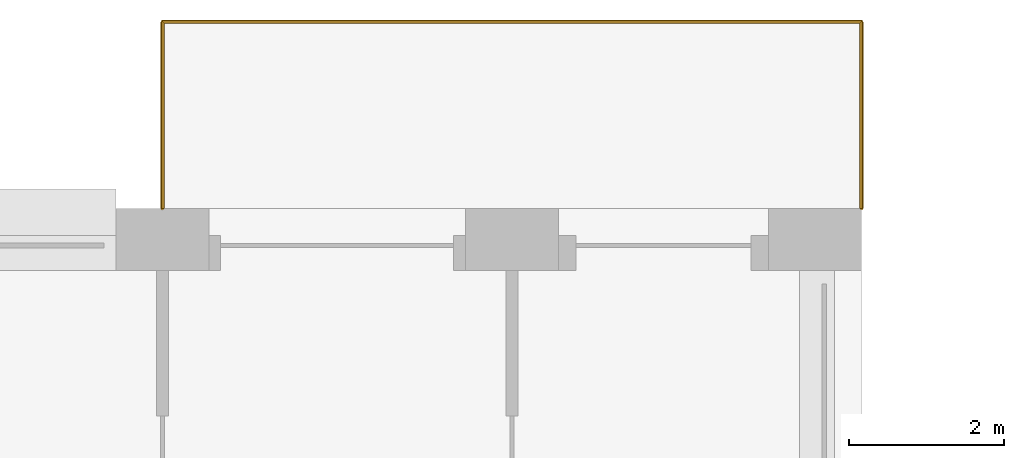
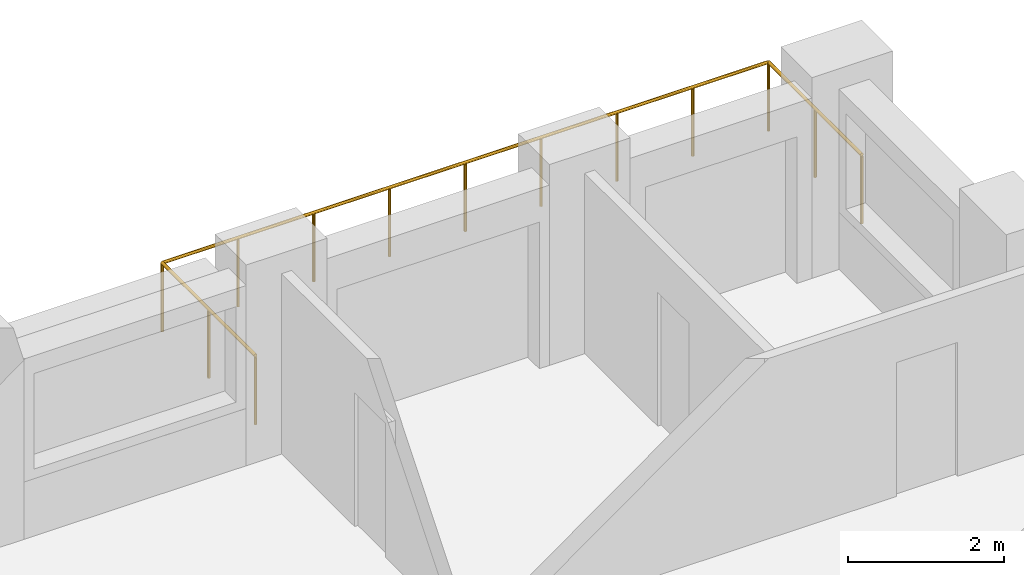
# One storey, part 19 of 19: 1 railing.
"""IFC4 building model written with IfcOpenShell, lengths in metres."""

from ifc_helpers import new_model, si_unit, direction, frame, origin, origin_2d, place, context, subcontext, project, spatial, circle, extrude, material, type_object, element, save


model = new_model("IFC4")

# Units and contexts
model_context = context("Model", 3, precision=1e-05, world=origin(), true_north=direction((0.0, 1.0)))
body_context = subcontext(model_context, "Body", "Model", "MODEL_VIEW")
ifc_project = project(units=[si_unit("LENGTHUNIT", "METRE"), si_unit("AREAUNIT", "SQUARE_METRE"), si_unit("VOLUMEUNIT", "CUBIC_METRE"), si_unit("PLANEANGLEUNIT", "RADIAN"), si_unit("MASSUNIT", "GRAM", prefix="KILO")], contexts=[model_context])

# Site, building, storey
site_placement = place(None, origin())
site = spatial("IfcSite", under=ifc_project, at=site_placement, CompositionType="ELEMENT")
building_placement = place(site_placement, origin())
building = spatial("IfcBuilding", under=site, at=building_placement, Name="Brigalow Station Residences", CompositionType="ELEMENT")
storey_placement = place(building_placement, frame((0.0, 0.0, 28.949951171875)))
storey = spatial("IfcBuildingStorey", under=building, at=storey_placement, Name="L07", CompositionType="ELEMENT", Elevation=28.949951171875)

# Railing
ifc_material = material(Name="Stainless steel balustrade with laminated glass infill", Category="steel")
railing_type = type_object("IfcRailingType", Name="BALCONY GUARD 1100", PredefinedType="GUARDRAIL", material=ifc_material)
railing_placement = place(storey_placement, frame((72.0, 48.5, -0.0400390625)))
element("IfcRailing", 1, at=railing_placement, inside=storey, type_object=railing_type, Name="L07/balcony-guard/2", PredefinedType="GUARDRAIL", context=body_context, shape_type="SweptSolid", body=[
    extrude(circle(Radius=0.02392578125, at=origin_2d()), frame((0.0, 0.0, 1.076171875), z_axis=(0.0, 1.0, 0.0), x_axis=(-1.0, 0.0, 0.0)), (0.0, 0.0, 1.0), 2.39990234375),
    extrude(circle(Radius=0.02392578125, at=origin_2d()), frame((0.0, 2.39990234375, 1.076171875), z_axis=(-1.0, 0.0, 0.0), x_axis=(0.0, -1.0, 0.0)), (0.0, 0.0, 1.0), 9.0),
    extrude(circle(Radius=0.02392578125, at=origin_2d()), frame((-9.0, 2.39990234375, 1.076171875), z_axis=(0.0, -1.0, 0.0), x_axis=(1.0, 0.0, 0.0)), (0.0, 0.0, 1.0), 2.39990234375),
    extrude(circle(Radius=0.02099609375, at=origin_2d()), origin(), (0.0, 0.0, 1.0), 1.052001953125),
    extrude(circle(Radius=0.02099609375, at=origin_2d()), frame((0.0, 1.199951171875, 0.0)), (0.0, 0.0, 1.0), 1.052001953125),
    extrude(circle(Radius=0.02099609375, at=origin_2d()), frame((0.0, 2.39990234375, 0.0)), (0.0, 0.0, 1.0), 1.052001953125),
    extrude(circle(Radius=0.02099609375, at=origin_2d()), frame((-1.125, 2.39990234375, 0.0)), (0.0, 0.0, 1.0), 1.052001953125),
    extrude(circle(Radius=0.02099609375, at=origin_2d()), frame((-2.25, 2.39990234375, 0.0)), (0.0, 0.0, 1.0), 1.052001953125),
    extrude(circle(Radius=0.02099609375, at=origin_2d()), frame((-3.375, 2.39990234375, 0.0)), (0.0, 0.0, 1.0), 1.052001953125),
    extrude(circle(Radius=0.02099609375, at=origin_2d()), frame((-4.5, 2.39990234375, 0.0)), (0.0, 0.0, 1.0), 1.052001953125),
    extrude(circle(Radius=0.02099609375, at=origin_2d()), frame((-5.625, 2.39990234375, 0.0)), (0.0, 0.0, 1.0), 1.052001953125),
    extrude(circle(Radius=0.02099609375, at=origin_2d()), frame((-6.75, 2.39990234375, 0.0)), (0.0, 0.0, 1.0), 1.052001953125),
    extrude(circle(Radius=0.02099609375, at=origin_2d()), frame((-7.875, 2.39990234375, 0.0)), (0.0, 0.0, 1.0), 1.052001953125),
    extrude(circle(Radius=0.02099609375, at=origin_2d()), frame((-9.0, 2.39990234375, 0.0)), (0.0, 0.0, 1.0), 1.052001953125),
    extrude(circle(Radius=0.02099609375, at=origin_2d()), frame((-9.0, 1.199951171875, 0.0)), (0.0, 0.0, 1.0), 1.052001953125),
    extrude(circle(Radius=0.02099609375, at=origin_2d()), frame((-9.0, 0.0, 0.0)), (0.0, 0.0, 1.0), 1.052001953125),
])

save(model, "model.ifc")
